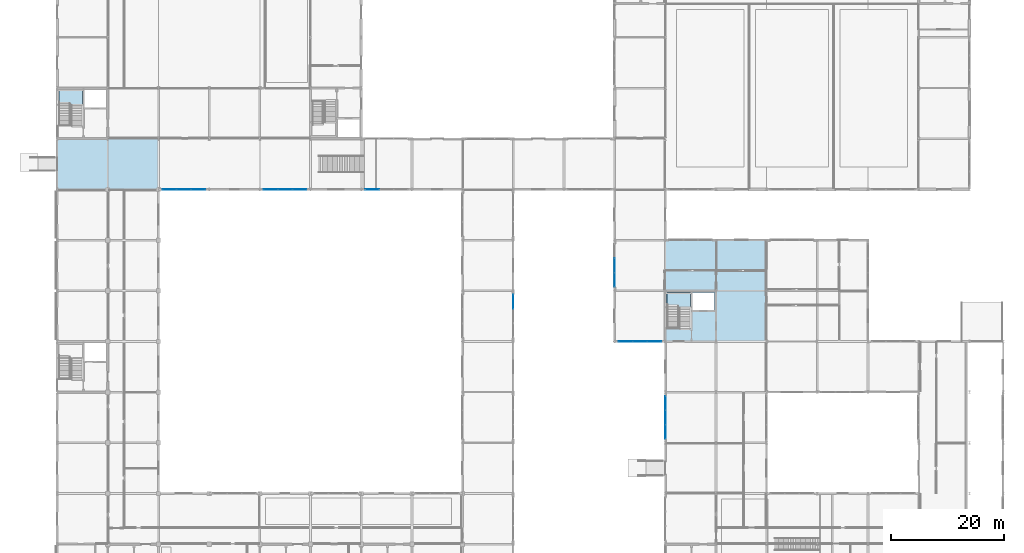
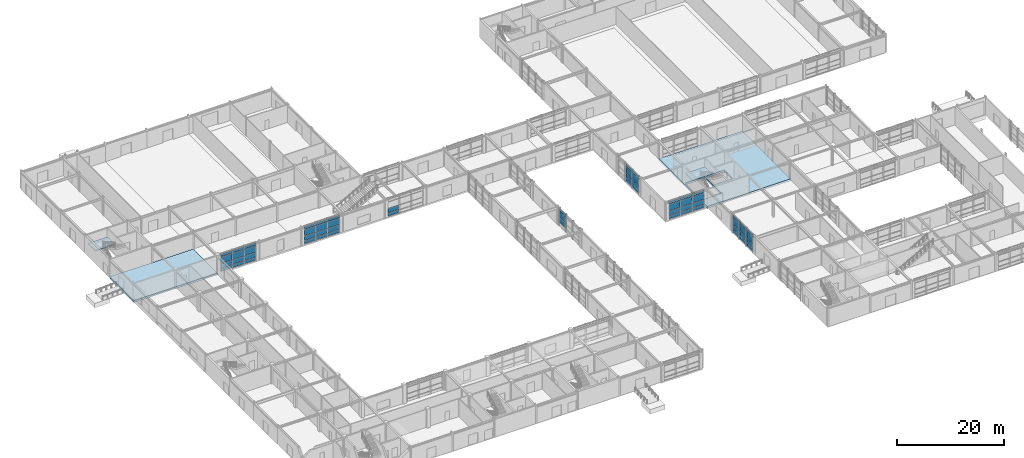
# One storey, part 48 of 72: 61 plates, 4 slabs, 7 elements without a shape of their own.
"""IFC4 building model written with IfcOpenShell, lengths in metres."""

import ifcopenshell
import ifcopenshell.guid

model = None  # the IFC model being written
_history = None  # IfcOwnerHistory: only IFC2X3 demands one
_inside = {}  # id of a spatial element -> (the spatial element, [elements in it])
_under = {}  # id of a project, library or spatial element -> (it, [spatial elements below it])
_declared = {}  # id of a project -> (the project, [libraries it declares])
_typed = {}  # id of a type object -> (the type object, [elements of that type])
_made_of = {}  # id of a material, layer set ... -> (it, [elements and type objects made of it])


def new_model(schema):
    """Start an empty IFC model of exactly this schema.

    Asked for "IFC4X3", IfcOpenShell would pick the latest addendum, in which some entities
    have other attributes; the version numbers below select the first issue.
    IFC2X3 requires an IfcOwnerHistory on every rooted entity: one is made here for all.
    """
    global model, _history
    if schema == "IFC4X3":
        model = ifcopenshell.file(schema_version=(4, 3, 0, 0))
    else:
        model = ifcopenshell.file(schema=schema)
    _inside.clear()
    _under.clear()
    _declared.clear()
    _typed.clear()
    _made_of.clear()
    _history = None
    if model.schema == "IFC2X3":
        org = make("IfcOrganization", Name="unknown")
        user = make(
            "IfcPersonAndOrganization",
            ThePerson=make("IfcPerson", FamilyName="unknown"),
            TheOrganization=org,
        )
        app = make(
            "IfcApplication",
            ApplicationDeveloper=org,
            Version="unknown",
            ApplicationFullName="unknown",
            ApplicationIdentifier="unknown",
        )
        _history = make(
            "IfcOwnerHistory",
            OwningUser=user,
            OwningApplication=app,
            ChangeAction="ADDED",
            CreationDate=0,
        )
    return model


def make(cls, **values):
    """One entity of the class cls with the attributes given. An attribute that is None is left unset."""
    return model.create_entity(
        cls, **{name: value for name, value in values.items() if value is not None}
    )


def rooted(cls, **values):
    """An entity with a GlobalId (a new one), such as an element, a storey or a relation."""
    return make(cls, GlobalId=ifcopenshell.guid.new(), OwnerHistory=_history, **values)


def si_unit(unit_type, name, prefix=None):
    """IfcSIUnit, for example si_unit("LENGTHUNIT", "METRE", prefix="MILLI")."""
    return make("IfcSIUnit", UnitType=unit_type, Prefix=prefix, Name=name)


def assignment(units):
    """IfcUnitAssignment: the units of a project."""
    return None if units is None else make("IfcUnitAssignment", Units=units)


def point(xyz):
    """IfcCartesianPoint."""
    return None if xyz is None else make("IfcCartesianPoint", Coordinates=xyz)


def direction(xyz):
    """IfcDirection."""
    return None if xyz is None else make("IfcDirection", DirectionRatios=xyz)


def frame(location, z_axis=None, x_axis=None):
    """IfcAxis2Placement3D, a coordinate frame: its origin and axes. An axis left out is left unset."""
    return make(
        "IfcAxis2Placement3D",
        Location=point(location),
        Axis=direction(z_axis),
        RefDirection=direction(x_axis),
    )


def frame_2d(location, x_axis=None):
    """IfcAxis2Placement2D, a coordinate frame in the plane: its origin and x axis."""
    return make(
        "IfcAxis2Placement2D", Location=point(location), RefDirection=direction(x_axis)
    )


def origin():
    """The frame at (0, 0, 0) with its axes left unset."""
    return frame((0.0, 0.0, 0.0))


def origin_2d():
    """The frame at (0, 0) in the plane with its x axis left unset."""
    return frame_2d((0.0, 0.0))


def place(relative_to, where):
    """IfcLocalPlacement: puts the frame where relative to a parent placement (None: the world)."""
    return make(
        "IfcLocalPlacement", PlacementRelTo=relative_to, RelativePlacement=where
    )


def context(
    kind, dimensions, precision=None, world=None, true_north=None, identifier=None
):
    """IfcGeometricRepresentationContext, for example the 3D "Model" context."""
    return make(
        "IfcGeometricRepresentationContext",
        ContextIdentifier=identifier,
        ContextType=kind,
        CoordinateSpaceDimension=dimensions,
        Precision=precision,
        WorldCoordinateSystem=world,
        TrueNorth=true_north,
    )


def subcontext(parent, identifier, kind, view, scale=None):
    """IfcGeometricRepresentationSubContext, for example "Body" below "Model"."""
    return make(
        "IfcGeometricRepresentationSubContext",
        ContextIdentifier=identifier,
        ContextType=kind,
        ParentContext=parent,
        TargetScale=scale,
        TargetView=view,
    )


def project(units=None, contexts=None):
    """IfcProject with its units and contexts."""
    return rooted(
        "IfcProject",
        Name="project",
        RepresentationContexts=contexts,
        UnitsInContext=assignment(units),
    )


def spatial(cls, under=None, at=None, **own):
    """A site, building, storey or space (cls), placed at a placement, below another one or the project."""
    s = rooted(cls, ObjectPlacement=at, **own)
    if under is not None:
        _under.setdefault(under.id(), (under, []))[1].append(s)
    return s


def polyline(points):
    """IfcPolyline through the points."""
    return make("IfcPolyline", Points=[point(p) for p in points])


def profile(cls, at=None, kind="AREA", **sizes):
    """A parametric profile (cls). Its sizes go by their IFC names, for example OverallWidth=200.0."""
    return make(cls, ProfileType=kind, Position=at, **sizes)


def rectangle(**sizes):
    """IfcRectangleProfileDef."""
    return profile("IfcRectangleProfileDef", **sizes)


def outline(outer, holes=None, kind="AREA"):
    """IfcArbitraryClosedProfileDef: a profile drawn as a closed curve; with holes, ...WithVoids."""
    if holes is None:
        return make("IfcArbitraryClosedProfileDef", ProfileType=kind, OuterCurve=outer)
    return make(
        "IfcArbitraryProfileDefWithVoids",
        ProfileType=kind,
        OuterCurve=outer,
        InnerCurves=holes,
    )


def extrude(swept, where, along, depth):
    """IfcExtrudedAreaSolid: the profile swept, set in the frame where, extruded along a direction by depth."""
    return make(
        "IfcExtrudedAreaSolid",
        SweptArea=swept,
        Position=where,
        ExtrudedDirection=direction(along),
        Depth=depth,
    )


def shape(context_of_items, identifier, shape_type, items):
    """IfcShapeRepresentation: the items that make up one representation, for example the "Body"."""
    return make(
        "IfcShapeRepresentation",
        ContextOfItems=context_of_items,
        RepresentationIdentifier=identifier,
        RepresentationType=shape_type,
        Items=items,
    )


def material(Name=None, Category=None):
    """IfcMaterial."""
    return make("IfcMaterial", Name=Name, Category=Category)


def layer(
    of_material, thickness, ventilated=None, Name=None, Category=None, Priority=None
):
    """IfcMaterialLayer: one layer of a wall or slab, of a material (None: an air gap)."""
    return make(
        "IfcMaterialLayer",
        Material=of_material,
        LayerThickness=thickness,
        IsVentilated=ventilated,
        Name=Name,
        Category=Category,
        Priority=Priority,
    )


def layer_set(layers, Name=None):
    """IfcMaterialLayerSet."""
    return make("IfcMaterialLayerSet", MaterialLayers=layers, LayerSetName=Name)


def made_of(thing, what):
    """Note that an element or type object is made of a material, layer set ...; save() writes the relation."""
    if what is not None:
        _made_of.setdefault(what.id(), (what, []))[1].append(thing)
    return thing


def type_object(cls, material=None, **own):
    """A type object (cls), such as IfcWallType, which elements share."""
    return made_of(rooted(cls, **own), material)


def element(
    cls,
    number,
    at=None,
    inside=None,
    cuts=None,
    type_object=None,
    material=None,
    context=None,
    identifier="Body",
    shape_type=None,
    held_by="IfcProductDefinitionShape",
    body=None,
    shapes=None,
    **own,
):
    """One element of the class cls, such as IfcWall. Its Tag is "e" and its number.

    at: its placement. inside: the storey or other place that contains it. cuts: it is an
    opening in that element (IfcRelVoidsElement). A single representation is given by context,
    identifier, shape_type and body (its items); several are given by shapes. held_by: the class
    of the entity that holds the representations. save() writes the other relations.
    """
    e = rooted(cls, Tag="e%d" % number, ObjectPlacement=at, **own)
    if body is not None:
        shapes = [shape(context, identifier, shape_type, body)]
    if shapes is not None:
        e.Representation = make(held_by, Representations=shapes)
    if inside is not None:
        _inside.setdefault(inside.id(), (inside, []))[1].append(e)
    if cuts is not None:
        rooted(
            "IfcRelVoidsElement", RelatingBuildingElement=cuts, RelatedOpeningElement=e
        )
    if type_object is not None:
        _typed.setdefault(type_object.id(), (type_object, []))[1].append(e)
    return made_of(e, material)


def aggregate(whole, parts):
    """IfcRelAggregates: a whole, such as a stair, and the parts it consists of."""
    return rooted("IfcRelAggregates", RelatingObject=whole, RelatedObjects=parts)


def save(model, path):
    """Write the relations noted so far, then the file.

    IfcRelAggregates (storeys below a building ...), IfcRelContainedInSpatialStructure (elements
    in a storey), IfcRelDefinesByType, IfcRelAssociatesMaterial and IfcRelDeclares: one each for
    every whole, place, type object, material and project.
    """
    for whole, parts in _under.values():
        aggregate(whole, parts)
    for where, things in _inside.values():
        rooted(
            "IfcRelContainedInSpatialStructure",
            RelatedElements=things,
            RelatingStructure=where,
        )
    for kind, things in _typed.values():
        rooted("IfcRelDefinesByType", RelatedObjects=things, RelatingType=kind)
    for what, things in _made_of.values():
        rooted("IfcRelAssociatesMaterial", RelatedObjects=things, RelatingMaterial=what)
    for by, libraries in _declared.values():
        rooted("IfcRelDeclares", RelatingContext=by, RelatedDefinitions=libraries)
    model.write(path)


model = new_model("IFC4")

# Units and contexts
model_context = context("Model", 3, precision=1e-05, world=origin(), true_north=direction((0.0, 1.0)))
body_context = subcontext(model_context, "Body", "Model", "MODEL_VIEW")
ifc_project = project(units=[si_unit("LENGTHUNIT", "METRE"), si_unit("AREAUNIT", "SQUARE_METRE"), si_unit("VOLUMEUNIT", "CUBIC_METRE"), si_unit("PLANEANGLEUNIT", "RADIAN"), si_unit("MASSUNIT", "GRAM", prefix="KILO")], contexts=[model_context])

# Site, building, storey
site_placement = place(None, origin())
site = spatial("IfcSite", under=ifc_project, at=site_placement, CompositionType="ELEMENT")
building_placement = place(site_placement, origin())
building = spatial("IfcBuilding", under=site, at=building_placement, Name="Palais des Congres Ocreval", CompositionType="ELEMENT")
storey_placement = place(building_placement, origin())
storey = spatial("IfcBuildingStorey", under=building, at=storey_placement, Name="L00", CompositionType="ELEMENT", Elevation=0.0)

# Curtain wall, plates
ifc_material_1 = material(Name="Anodized bronze aluminium and low-E glass", Category="glass")
curtain_wall_type = type_object("IfcCurtainWallType", Name="Unitised Curtain Wall 7900x4060", PredefinedType="USERDEFINED", material=ifc_material_1)
curtain_wall_1_placement = place(storey_placement, origin())
curtain_wall_1 = element("IfcCurtainWall", 1, at=curtain_wall_1_placement, inside=storey, type_object=curtain_wall_type, Name="Unitised Curtain Wall CW01 L00", ObjectType="UNITISED CURTAIN WALL", PredefinedType="USERDEFINED")
ifc_material_2 = material(Name="Acoustic triple glazing", Category="glass")
ifc_layer_1 = layer(ifc_material_2, 0.0439453125)
ifc_layer_set_1 = layer_set([ifc_layer_1], Name="Acoustic Laminated Glazing Panel 44 (Acoustic triple glazing)")
plate_type_1 = type_object("IfcPlateType", Name="Acoustic Laminated Glazing Panel 44", PredefinedType="CURTAIN_PANEL", material=ifc_layer_set_1)
plate_1_placement = place(storey_placement, frame((108.0, 28.9521484375, 0.06005859375), z_axis=(0.0, 0.0, 1.0), x_axis=(0.0, 1.0, 0.0)))
plate_1 = element("IfcPlate", 2, at=plate_1_placement, type_object=plate_type_1, Name="Vision Glazing Panel VP02", PredefinedType="CURTAIN_PANEL", context=body_context, shape_type="SweptSolid", body=[
    extrude(rectangle(XDim=2.4541015625, YDim=0.0439453125, at=origin_2d()), origin(), (0.0, 0.0, 1.0), 0.68994140625),
])
plate_2_placement = place(storey_placement, frame((108.0, 28.9521484375, 0.81005859375), z_axis=(0.0, 0.0, 1.0), x_axis=(0.0, 1.0, 0.0)))
plate_2 = element("IfcPlate", 3, at=plate_2_placement, type_object=plate_type_1, Name="Vision Glazing Panel VP02", PredefinedType="CURTAIN_PANEL", context=body_context, shape_type="SweptSolid", body=[
    extrude(rectangle(XDim=2.4541015625, YDim=0.0439453125, at=origin_2d()), origin(), (0.0, 0.0, 1.0), 1.03271484375),
])
plate_3_placement = place(storey_placement, frame((108.0, 28.9521484375, 1.90283203125), z_axis=(0.0, 0.0, 1.0), x_axis=(0.0, 1.0, 0.0)))
plate_3 = element("IfcPlate", 4, at=plate_3_placement, type_object=plate_type_1, Name="Vision Glazing Panel VP02", PredefinedType="CURTAIN_PANEL", context=body_context, shape_type="SweptSolid", body=[
    extrude(rectangle(XDim=2.4541015625, YDim=0.0439453125, at=origin_2d()), origin(), (0.0, 0.0, 1.0), 1.47216796875),
])
plate_4_placement = place(storey_placement, frame((108.0, 31.5, 0.06005859375), z_axis=(0.0, 0.0, 1.0), x_axis=(0.0, 1.0, 0.0)))
plate_4 = element("IfcPlate", 5, at=plate_4_placement, type_object=plate_type_1, Name="Vision Glazing Panel VP02", PredefinedType="CURTAIN_PANEL", context=body_context, shape_type="SweptSolid", body=[
    extrude(rectangle(XDim=2.49169921875, YDim=0.0439453125, at=origin_2d()), origin(), (0.0, 0.0, 1.0), 0.68994140625),
])
plate_5_placement = place(storey_placement, frame((108.0, 31.5, 0.81005859375), z_axis=(0.0, 0.0, 1.0), x_axis=(0.0, 1.0, 0.0)))
plate_5 = element("IfcPlate", 6, at=plate_5_placement, type_object=plate_type_1, Name="Vision Glazing Panel VP02", PredefinedType="CURTAIN_PANEL", context=body_context, shape_type="SweptSolid", body=[
    extrude(rectangle(XDim=2.49169921875, YDim=0.0439453125, at=origin_2d()), origin(), (0.0, 0.0, 1.0), 1.03271484375),
])
plate_6_placement = place(storey_placement, frame((108.0, 31.5, 1.90283203125), z_axis=(0.0, 0.0, 1.0), x_axis=(0.0, 1.0, 0.0)))
plate_6 = element("IfcPlate", 7, at=plate_6_placement, type_object=plate_type_1, Name="Vision Glazing Panel VP02", PredefinedType="CURTAIN_PANEL", context=body_context, shape_type="SweptSolid", body=[
    extrude(rectangle(XDim=2.49169921875, YDim=0.0439453125, at=origin_2d()), origin(), (0.0, 0.0, 1.0), 1.47216796875),
])
plate_7_placement = place(storey_placement, frame((108.0, 34.0478515625, 0.06005859375), z_axis=(0.0, 0.0, 1.0), x_axis=(0.0, 1.0, 0.0)))
plate_7 = element("IfcPlate", 8, at=plate_7_placement, type_object=plate_type_1, Name="Vision Glazing Panel VP02", PredefinedType="CURTAIN_PANEL", context=body_context, shape_type="SweptSolid", body=[
    extrude(rectangle(XDim=2.4541015625, YDim=0.0439453125, at=origin_2d()), origin(), (0.0, 0.0, 1.0), 0.68994140625),
])
plate_8_placement = place(storey_placement, frame((108.0, 34.0478515625, 0.81005859375), z_axis=(0.0, 0.0, 1.0), x_axis=(0.0, 1.0, 0.0)))
plate_8 = element("IfcPlate", 9, at=plate_8_placement, type_object=plate_type_1, Name="Vision Glazing Panel VP02", PredefinedType="CURTAIN_PANEL", context=body_context, shape_type="SweptSolid", body=[
    extrude(rectangle(XDim=2.4541015625, YDim=0.0439453125, at=origin_2d()), origin(), (0.0, 0.0, 1.0), 1.03271484375),
])
plate_9_placement = place(storey_placement, frame((108.0, 34.0478515625, 1.90283203125), z_axis=(0.0, 0.0, 1.0), x_axis=(0.0, 1.0, 0.0)))
plate_9 = element("IfcPlate", 10, at=plate_9_placement, type_object=plate_type_1, Name="Vision Glazing Panel VP02", PredefinedType="CURTAIN_PANEL", context=body_context, shape_type="SweptSolid", body=[
    extrude(rectangle(XDim=2.4541015625, YDim=0.0439453125, at=origin_2d()), origin(), (0.0, 0.0, 1.0), 1.47216796875),
])

curtain_wall_2_placement = place(storey_placement, origin())
curtain_wall_2 = element("IfcCurtainWall", 11, at=curtain_wall_2_placement, inside=storey, type_object=curtain_wall_type, Name="Unitised Curtain Wall CW01 L00", ObjectType="UNITISED CURTAIN WALL", PredefinedType="USERDEFINED")
plate_10_placement = place(storey_placement, frame((55.9521484375, 72.0, 0.06005859375), z_axis=(0.0, 0.0, 1.0), x_axis=(-1.0, 0.0, 0.0)))
plate_10 = element("IfcPlate", 12, at=plate_10_placement, type_object=plate_type_1, Name="Vision Glazing Panel VP02", PredefinedType="CURTAIN_PANEL", context=body_context, shape_type="SweptSolid", body=[
    extrude(rectangle(XDim=2.4541015625, YDim=0.0439453125, at=origin_2d()), origin(), (0.0, 0.0, 1.0), 0.68994140625),
])
plate_11_placement = place(storey_placement, frame((55.9521484375, 72.0, 0.81005859375), z_axis=(0.0, 0.0, 1.0), x_axis=(-1.0, 0.0, 0.0)))
plate_11 = element("IfcPlate", 13, at=plate_11_placement, type_object=plate_type_1, Name="Vision Glazing Panel VP02", PredefinedType="CURTAIN_PANEL", context=body_context, shape_type="SweptSolid", body=[
    extrude(rectangle(XDim=2.4541015625, YDim=0.0439453125, at=origin_2d()), origin(), (0.0, 0.0, 1.0), 1.03271484375),
])
aggregate(curtain_wall_2, [plate_10, plate_11])

curtain_wall_3_placement = place(storey_placement, origin())
curtain_wall_3 = element("IfcCurtainWall", 14, at=curtain_wall_3_placement, inside=storey, type_object=curtain_wall_type, Name="Unitised Curtain Wall CW01 L00", ObjectType="UNITISED CURTAIN WALL", PredefinedType="USERDEFINED")
ifc_material_3 = material(Name="Anodized bronze aluminium", Category="aluminium")
ifc_layer_2 = layer(ifc_material_3, 0.06005859375)
ifc_layer_set_2 = layer_set([ifc_layer_2], Name="Anodized Bronze Spandrel Cassette 60 (Anodized bronze aluminium)")
plate_type_2 = type_object("IfcPlateType", Name="Anodized Bronze Spandrel Cassette 60", PredefinedType="SHEET", material=ifc_layer_set_2)
plate_12_placement = place(storey_placement, frame((106.0478515625, 45.0, 3.43505859375), z_axis=(0.0, 0.0, 1.0), x_axis=(-1.0, 0.0, 0.0)))
plate_12 = element("IfcPlate", 15, at=plate_12_placement, type_object=plate_type_2, Name="Spandrel Sheet SPN1", PredefinedType="SHEET", context=body_context, shape_type="SweptSolid", body=[
    extrude(rectangle(XDim=2.4541015625, YDim=0.06005859375, at=origin_2d()), origin(), (0.0, 0.0, 1.0), 0.56005859375),
])
plate_13_placement = place(storey_placement, frame((103.5, 45.0, 3.43505859375), z_axis=(0.0, 0.0, 1.0), x_axis=(-1.0, 0.0, 0.0)))
plate_13 = element("IfcPlate", 16, at=plate_13_placement, type_object=plate_type_2, Name="Spandrel Sheet SPN1", PredefinedType="SHEET", context=body_context, shape_type="SweptSolid", body=[
    extrude(rectangle(XDim=2.49169921875, YDim=0.06005859375, at=origin_2d()), origin(), (0.0, 0.0, 1.0), 0.56005859375),
])
plate_14_placement = place(storey_placement, frame((100.9521484375, 45.0, 3.43505859375), z_axis=(0.0, 0.0, 1.0), x_axis=(-1.0, 0.0, 0.0)))
plate_14 = element("IfcPlate", 17, at=plate_14_placement, type_object=plate_type_2, Name="Spandrel Sheet SPN1", PredefinedType="SHEET", context=body_context, shape_type="SweptSolid", body=[
    extrude(rectangle(XDim=2.4541015625, YDim=0.06005859375, at=origin_2d()), origin(), (0.0, 0.0, 1.0), 0.56005859375),
])

# Curtain wall, plate
curtain_wall_4_placement = place(storey_placement, origin())
curtain_wall_4 = element("IfcCurtainWall", 18, at=curtain_wall_4_placement, inside=storey, type_object=curtain_wall_type, Name="Unitised Curtain Wall CW01 L00", ObjectType="UNITISED CURTAIN WALL", PredefinedType="USERDEFINED")
plate_15_placement = place(storey_placement, frame((81.0, 52.0478515625, 3.43505859375), z_axis=(0.0, 0.0, 1.0), x_axis=(0.0, -1.0, 0.0)))
plate_15 = element("IfcPlate", 19, at=plate_15_placement, type_object=plate_type_2, Name="Spandrel Sheet SPN1", PredefinedType="SHEET", context=body_context, shape_type="SweptSolid", body=[
    extrude(rectangle(XDim=2.4541015625, YDim=0.06005859375, at=origin_2d()), origin(), (0.0, 0.0, 1.0), 0.56005859375),
])

# Curtain wall, plates
curtain_wall_5_placement = place(storey_placement, origin())
curtain_wall_5 = element("IfcCurtainWall", 20, at=curtain_wall_5_placement, inside=storey, type_object=curtain_wall_type, Name="Unitised Curtain Wall CW01 L00", ObjectType="UNITISED CURTAIN WALL", PredefinedType="USERDEFINED")
plate_16_placement = place(storey_placement, frame((25.0478515625, 72.0, 3.43505859375), z_axis=(0.0, 0.0, 1.0), x_axis=(-1.0, 0.0, 0.0)))
plate_16 = element("IfcPlate", 21, at=plate_16_placement, type_object=plate_type_2, Name="Spandrel Sheet SPN1", PredefinedType="SHEET", context=body_context, shape_type="SweptSolid", body=[
    extrude(rectangle(XDim=2.4541015625, YDim=0.06005859375, at=origin_2d()), origin(), (0.0, 0.0, 1.0), 0.56005859375),
])
plate_17_placement = place(storey_placement, frame((22.5, 72.0, 3.43505859375), z_axis=(0.0, 0.0, 1.0), x_axis=(-1.0, 0.0, 0.0)))
plate_17 = element("IfcPlate", 22, at=plate_17_placement, type_object=plate_type_2, Name="Spandrel Sheet SPN1", PredefinedType="SHEET", context=body_context, shape_type="SweptSolid", body=[
    extrude(rectangle(XDim=2.49169921875, YDim=0.06005859375, at=origin_2d()), origin(), (0.0, 0.0, 1.0), 0.56005859375),
])
plate_18_placement = place(storey_placement, frame((19.9521484375, 72.0, 3.43505859375), z_axis=(0.0, 0.0, 1.0), x_axis=(-1.0, 0.0, 0.0)))
plate_18 = element("IfcPlate", 23, at=plate_18_placement, type_object=plate_type_2, Name="Spandrel Sheet SPN1", PredefinedType="SHEET", context=body_context, shape_type="SweptSolid", body=[
    extrude(rectangle(XDim=2.4541015625, YDim=0.06005859375, at=origin_2d()), origin(), (0.0, 0.0, 1.0), 0.56005859375),
])

# Plate
ifc_material_4 = material(Name="Low-E solar-control double glazing", Category="glass")
ifc_layer_3 = layer(ifc_material_4, 0.031982421875)
ifc_layer_set_3 = layer_set([ifc_layer_3], Name="Galleria Clear Vision Panel 32 (Low-E solar-control double glazing)")
plate_type_3 = type_object("IfcPlateType", Name="Galleria Clear Vision Panel 32", PredefinedType="CURTAIN_PANEL", material=ifc_layer_set_3)
plate_19_placement = place(storey_placement, frame((106.0478515625, 45.0, 0.06005859375), z_axis=(0.0, 0.0, 1.0), x_axis=(-1.0, 0.0, 0.0)))
plate_19 = element("IfcPlate", 24, at=plate_19_placement, type_object=plate_type_3, Name="Vision Glazing Panel VP03", PredefinedType="CURTAIN_PANEL", context=body_context, shape_type="SweptSolid", body=[
    extrude(rectangle(XDim=2.4541015625, YDim=0.031982421875, at=origin_2d()), origin(), (0.0, 0.0, 1.0), 0.68994140625),
])

plate_20_placement = place(storey_placement, frame((106.0478515625, 45.0, 0.81005859375), z_axis=(0.0, 0.0, 1.0), x_axis=(-1.0, 0.0, 0.0)))
plate_20 = element("IfcPlate", 25, at=plate_20_placement, type_object=plate_type_3, Name="Vision Glazing Panel VP03", PredefinedType="CURTAIN_PANEL", context=body_context, shape_type="SweptSolid", body=[
    extrude(rectangle(XDim=2.4541015625, YDim=0.031982421875, at=origin_2d()), origin(), (0.0, 0.0, 1.0), 1.03271484375),
])

plate_21_placement = place(storey_placement, frame((106.0478515625, 45.0, 1.90283203125), z_axis=(0.0, 0.0, 1.0), x_axis=(-1.0, 0.0, 0.0)))
plate_21 = element("IfcPlate", 26, at=plate_21_placement, type_object=plate_type_3, Name="Vision Glazing Panel VP03", PredefinedType="CURTAIN_PANEL", context=body_context, shape_type="SweptSolid", body=[
    extrude(rectangle(XDim=2.4541015625, YDim=0.031982421875, at=origin_2d()), origin(), (0.0, 0.0, 1.0), 1.47216796875),
])

plate_22_placement = place(storey_placement, frame((103.5, 45.0, 0.06005859375), z_axis=(0.0, 0.0, 1.0), x_axis=(-1.0, 0.0, 0.0)))
plate_22 = element("IfcPlate", 27, at=plate_22_placement, type_object=plate_type_3, Name="Vision Glazing Panel VP03", PredefinedType="CURTAIN_PANEL", context=body_context, shape_type="SweptSolid", body=[
    extrude(rectangle(XDim=2.49169921875, YDim=0.031982421875, at=origin_2d()), origin(), (0.0, 0.0, 1.0), 0.68994140625),
])

plate_23_placement = place(storey_placement, frame((103.5, 45.0, 0.81005859375), z_axis=(0.0, 0.0, 1.0), x_axis=(-1.0, 0.0, 0.0)))
plate_23 = element("IfcPlate", 28, at=plate_23_placement, type_object=plate_type_3, Name="Vision Glazing Panel VP03", PredefinedType="CURTAIN_PANEL", context=body_context, shape_type="SweptSolid", body=[
    extrude(rectangle(XDim=2.49169921875, YDim=0.031982421875, at=origin_2d()), origin(), (0.0, 0.0, 1.0), 1.03271484375),
])

plate_24_placement = place(storey_placement, frame((103.5, 45.0, 1.90283203125), z_axis=(0.0, 0.0, 1.0), x_axis=(-1.0, 0.0, 0.0)))
plate_24 = element("IfcPlate", 29, at=plate_24_placement, type_object=plate_type_3, Name="Vision Glazing Panel VP03", PredefinedType="CURTAIN_PANEL", context=body_context, shape_type="SweptSolid", body=[
    extrude(rectangle(XDim=2.49169921875, YDim=0.031982421875, at=origin_2d()), origin(), (0.0, 0.0, 1.0), 1.47216796875),
])

plate_25_placement = place(storey_placement, frame((100.9521484375, 45.0, 0.06005859375), z_axis=(0.0, 0.0, 1.0), x_axis=(-1.0, 0.0, 0.0)))
plate_25 = element("IfcPlate", 30, at=plate_25_placement, type_object=plate_type_3, Name="Vision Glazing Panel VP03", PredefinedType="CURTAIN_PANEL", context=body_context, shape_type="SweptSolid", body=[
    extrude(rectangle(XDim=2.4541015625, YDim=0.031982421875, at=origin_2d()), origin(), (0.0, 0.0, 1.0), 0.68994140625),
])

plate_26_placement = place(storey_placement, frame((100.9521484375, 45.0, 0.81005859375), z_axis=(0.0, 0.0, 1.0), x_axis=(-1.0, 0.0, 0.0)))
plate_26 = element("IfcPlate", 31, at=plate_26_placement, type_object=plate_type_3, Name="Vision Glazing Panel VP03", PredefinedType="CURTAIN_PANEL", context=body_context, shape_type="SweptSolid", body=[
    extrude(rectangle(XDim=2.4541015625, YDim=0.031982421875, at=origin_2d()), origin(), (0.0, 0.0, 1.0), 1.03271484375),
])

plate_27_placement = place(storey_placement, frame((100.9521484375, 45.0, 1.90283203125), z_axis=(0.0, 0.0, 1.0), x_axis=(-1.0, 0.0, 0.0)))
plate_27 = element("IfcPlate", 32, at=plate_27_placement, type_object=plate_type_3, Name="Vision Glazing Panel VP03", PredefinedType="CURTAIN_PANEL", context=body_context, shape_type="SweptSolid", body=[
    extrude(rectangle(XDim=2.4541015625, YDim=0.031982421875, at=origin_2d()), origin(), (0.0, 0.0, 1.0), 1.47216796875),
])

aggregate(curtain_wall_3, [plate_19, plate_20, plate_21, plate_12, plate_22, plate_23, plate_24, plate_13, plate_25, plate_26, plate_27, plate_14])

# Curtain wall, plates
curtain_wall_6_placement = place(storey_placement, origin())
curtain_wall_6 = element("IfcCurtainWall", 33, at=curtain_wall_6_placement, inside=storey, type_object=curtain_wall_type, Name="Unitised Curtain Wall CW01 L00", ObjectType="UNITISED CURTAIN WALL", PredefinedType="USERDEFINED")
plate_28_placement = place(storey_placement, frame((43.0478515625, 72.0, 0.06005859375), z_axis=(0.0, 0.0, 1.0), x_axis=(-1.0, 0.0, 0.0)))
plate_28 = element("IfcPlate", 34, at=plate_28_placement, type_object=plate_type_3, Name="Vision Glazing Panel VP03", PredefinedType="CURTAIN_PANEL", context=body_context, shape_type="SweptSolid", body=[
    extrude(rectangle(XDim=2.4541015625, YDim=0.031982421875, at=origin_2d()), origin(), (0.0, 0.0, 1.0), 0.68994140625),
])
plate_29_placement = place(storey_placement, frame((43.0478515625, 72.0, 0.81005859375), z_axis=(0.0, 0.0, 1.0), x_axis=(-1.0, 0.0, 0.0)))
plate_29 = element("IfcPlate", 35, at=plate_29_placement, type_object=plate_type_3, Name="Vision Glazing Panel VP03", PredefinedType="CURTAIN_PANEL", context=body_context, shape_type="SweptSolid", body=[
    extrude(rectangle(XDim=2.4541015625, YDim=0.031982421875, at=origin_2d()), origin(), (0.0, 0.0, 1.0), 1.03271484375),
])
plate_30_placement = place(storey_placement, frame((43.0478515625, 72.0, 1.90283203125), z_axis=(0.0, 0.0, 1.0), x_axis=(-1.0, 0.0, 0.0)))
plate_30 = element("IfcPlate", 36, at=plate_30_placement, type_object=plate_type_3, Name="Vision Glazing Panel VP03", PredefinedType="CURTAIN_PANEL", context=body_context, shape_type="SweptSolid", body=[
    extrude(rectangle(XDim=2.4541015625, YDim=0.031982421875, at=origin_2d()), origin(), (0.0, 0.0, 1.0), 1.47216796875),
])
plate_31_placement = place(storey_placement, frame((40.5, 72.0, 0.06005859375), z_axis=(0.0, 0.0, 1.0), x_axis=(-1.0, 0.0, 0.0)))
plate_31 = element("IfcPlate", 37, at=plate_31_placement, type_object=plate_type_3, Name="Vision Glazing Panel VP03", PredefinedType="CURTAIN_PANEL", context=body_context, shape_type="SweptSolid", body=[
    extrude(rectangle(XDim=2.49169921875, YDim=0.031982421875, at=origin_2d()), origin(), (0.0, 0.0, 1.0), 0.68994140625),
])
plate_32_placement = place(storey_placement, frame((40.5, 72.0, 0.81005859375), z_axis=(0.0, 0.0, 1.0), x_axis=(-1.0, 0.0, 0.0)))
plate_32 = element("IfcPlate", 38, at=plate_32_placement, type_object=plate_type_3, Name="Vision Glazing Panel VP03", PredefinedType="CURTAIN_PANEL", context=body_context, shape_type="SweptSolid", body=[
    extrude(rectangle(XDim=2.49169921875, YDim=0.031982421875, at=origin_2d()), origin(), (0.0, 0.0, 1.0), 1.03271484375),
])
plate_33_placement = place(storey_placement, frame((40.5, 72.0, 1.90283203125), z_axis=(0.0, 0.0, 1.0), x_axis=(-1.0, 0.0, 0.0)))
plate_33 = element("IfcPlate", 39, at=plate_33_placement, type_object=plate_type_3, Name="Vision Glazing Panel VP03", PredefinedType="CURTAIN_PANEL", context=body_context, shape_type="SweptSolid", body=[
    extrude(rectangle(XDim=2.49169921875, YDim=0.031982421875, at=origin_2d()), origin(), (0.0, 0.0, 1.0), 1.47216796875),
])
plate_34_placement = place(storey_placement, frame((37.9521484375, 72.0, 0.06005859375), z_axis=(0.0, 0.0, 1.0), x_axis=(-1.0, 0.0, 0.0)))
plate_34 = element("IfcPlate", 40, at=plate_34_placement, type_object=plate_type_3, Name="Vision Glazing Panel VP03", PredefinedType="CURTAIN_PANEL", context=body_context, shape_type="SweptSolid", body=[
    extrude(rectangle(XDim=2.4541015625, YDim=0.031982421875, at=origin_2d()), origin(), (0.0, 0.0, 1.0), 0.68994140625),
])
plate_35_placement = place(storey_placement, frame((37.9521484375, 72.0, 0.81005859375), z_axis=(0.0, 0.0, 1.0), x_axis=(-1.0, 0.0, 0.0)))
plate_35 = element("IfcPlate", 41, at=plate_35_placement, type_object=plate_type_3, Name="Vision Glazing Panel VP03", PredefinedType="CURTAIN_PANEL", context=body_context, shape_type="SweptSolid", body=[
    extrude(rectangle(XDim=2.4541015625, YDim=0.031982421875, at=origin_2d()), origin(), (0.0, 0.0, 1.0), 1.03271484375),
])
plate_36_placement = place(storey_placement, frame((37.9521484375, 72.0, 1.90283203125), z_axis=(0.0, 0.0, 1.0), x_axis=(-1.0, 0.0, 0.0)))
plate_36 = element("IfcPlate", 42, at=plate_36_placement, type_object=plate_type_3, Name="Vision Glazing Panel VP03", PredefinedType="CURTAIN_PANEL", context=body_context, shape_type="SweptSolid", body=[
    extrude(rectangle(XDim=2.4541015625, YDim=0.031982421875, at=origin_2d()), origin(), (0.0, 0.0, 1.0), 1.47216796875),
])

# Slabs
ifc_material_5 = material(Name="Concrete C40/50", Category="concrete")
ifc_layer_4 = layer(ifc_material_5, 0.449951171875)
ifc_layer_set_4 = layer_set([ifc_layer_4], Name="Hydrotherapy Pool and Cistern Slab 450 Concrete C40/50")
slab_type_1 = type_object("IfcSlabType", Name="Hydrotherapy Pool and Cistern Slab 450 Concrete C40/50", PredefinedType="FLOOR", material=ifc_layer_set_4)
slab_1_placement = place(storey_placement, frame((0.0, 0.0, -0.449951171875)))
element("IfcSlab", 43, at=slab_1_placement, inside=storey, type_object=slab_type_1, Name="Floor Slab SL03 L00 V5-1", PredefinedType="FLOOR", context=body_context, shape_type="SweptSolid", body=[
    extrude(outline(polyline([(0.0, 81.0), (18.0, 81.0), (18.0, 72.0), (0.0, 72.0), (0.0, 81.0)])), origin(), (0.0, 0.0, 1.0), 0.449951171875),
])
slab_2_placement = place(storey_placement, frame((0.0, 0.0, -0.449951171875)))
element("IfcSlab", 44, at=slab_2_placement, inside=storey, type_object=slab_type_1, Name="Floor Slab SL03 L00 V5-7", PredefinedType="FLOOR", context=body_context, shape_type="SweptSolid", body=[
    extrude(outline(polyline([(126.0, 63.0), (126.0, 45.0), (108.0, 45.0), (108.0, 63.0), (126.0, 63.0)]), holes=[polyline([(108.300048828125, 53.699951171875), (108.300048828125, 47.35009765625), (112.5, 47.35009765625), (112.5, 53.699951171875), (108.300048828125, 53.699951171875)]), polyline([(116.699951171875, 53.699951171875), (112.800048828125, 53.699951171875), (112.800048828125, 50.550048828125), (116.699951171875, 50.550048828125), (116.699951171875, 53.699951171875)])]), origin(), (0.0, 0.0, 1.0), 0.449951171875),
])

# Curtain wall, plates
curtain_wall_7_placement = place(storey_placement, origin())
curtain_wall_7 = element("IfcCurtainWall", 45, at=curtain_wall_7_placement, inside=storey, type_object=curtain_wall_type, Name="Unitised Curtain Wall CW01 L00", ObjectType="UNITISED CURTAIN WALL", PredefinedType="USERDEFINED")
ifc_layer_5 = layer(ifc_material_4, 0.035888671875)
ifc_layer_set_5 = layer_set([ifc_layer_5], Name="Low-E Vision Glazing Panel 36 (Low-E solar-control double glazing)")
plate_type_4 = type_object("IfcPlateType", Name="Low-E Vision Glazing Panel 36", PredefinedType="CURTAIN_PANEL", material=ifc_layer_set_5)
plate_37_placement = place(storey_placement, frame((99.0, 55.9521484375, 0.06005859375), z_axis=(0.0, 0.0, 1.0), x_axis=(0.0, 1.0, 0.0)))
plate_37 = element("IfcPlate", 46, at=plate_37_placement, type_object=plate_type_4, Name="Vision Glazing Panel VP01", PredefinedType="CURTAIN_PANEL", context=body_context, shape_type="SweptSolid", body=[
    extrude(rectangle(XDim=2.4541015625, YDim=0.035888671875, at=origin_2d()), origin(), (0.0, 0.0, 1.0), 0.68994140625),
])
plate_38_placement = place(storey_placement, frame((99.0, 55.9521484375, 0.81005859375), z_axis=(0.0, 0.0, 1.0), x_axis=(0.0, 1.0, 0.0)))
plate_38 = element("IfcPlate", 47, at=plate_38_placement, type_object=plate_type_4, Name="Vision Glazing Panel VP01", PredefinedType="CURTAIN_PANEL", context=body_context, shape_type="SweptSolid", body=[
    extrude(rectangle(XDim=2.4541015625, YDim=0.035888671875, at=origin_2d()), origin(), (0.0, 0.0, 1.0), 1.03271484375),
])
plate_39_placement = place(storey_placement, frame((99.0, 55.9521484375, 1.90283203125), z_axis=(0.0, 0.0, 1.0), x_axis=(0.0, 1.0, 0.0)))
plate_39 = element("IfcPlate", 48, at=plate_39_placement, type_object=plate_type_4, Name="Vision Glazing Panel VP01", PredefinedType="CURTAIN_PANEL", context=body_context, shape_type="SweptSolid", body=[
    extrude(rectangle(XDim=2.4541015625, YDim=0.035888671875, at=origin_2d()), origin(), (0.0, 0.0, 1.0), 1.47216796875),
])
plate_40_placement = place(storey_placement, frame((99.0, 58.5, 0.06005859375), z_axis=(0.0, 0.0, 1.0), x_axis=(0.0, 1.0, 0.0)))
plate_40 = element("IfcPlate", 49, at=plate_40_placement, type_object=plate_type_4, Name="Vision Glazing Panel VP01", PredefinedType="CURTAIN_PANEL", context=body_context, shape_type="SweptSolid", body=[
    extrude(rectangle(XDim=2.49169921875, YDim=0.035888671875, at=origin_2d()), origin(), (0.0, 0.0, 1.0), 0.68994140625),
])
plate_41_placement = place(storey_placement, frame((99.0, 58.5, 0.81005859375), z_axis=(0.0, 0.0, 1.0), x_axis=(0.0, 1.0, 0.0)))
plate_41 = element("IfcPlate", 50, at=plate_41_placement, type_object=plate_type_4, Name="Vision Glazing Panel VP01", PredefinedType="CURTAIN_PANEL", context=body_context, shape_type="SweptSolid", body=[
    extrude(rectangle(XDim=2.49169921875, YDim=0.035888671875, at=origin_2d()), origin(), (0.0, 0.0, 1.0), 1.03271484375),
])
plate_42_placement = place(storey_placement, frame((99.0, 58.5, 1.90283203125), z_axis=(0.0, 0.0, 1.0), x_axis=(0.0, 1.0, 0.0)))
plate_42 = element("IfcPlate", 51, at=plate_42_placement, type_object=plate_type_4, Name="Vision Glazing Panel VP01", PredefinedType="CURTAIN_PANEL", context=body_context, shape_type="SweptSolid", body=[
    extrude(rectangle(XDim=2.49169921875, YDim=0.035888671875, at=origin_2d()), origin(), (0.0, 0.0, 1.0), 1.47216796875),
])

# Plate
plate_43_placement = place(storey_placement, frame((81.0, 52.0478515625, 0.81005859375), z_axis=(0.0, 0.0, 1.0), x_axis=(0.0, -1.0, 0.0)))
plate_43 = element("IfcPlate", 52, at=plate_43_placement, type_object=plate_type_4, Name="Vision Glazing Panel VP01", PredefinedType="CURTAIN_PANEL", context=body_context, shape_type="SweptSolid", body=[
    extrude(rectangle(XDim=2.4541015625, YDim=0.035888671875, at=origin_2d()), origin(), (0.0, 0.0, 1.0), 1.03271484375),
])

plate_44_placement = place(storey_placement, frame((81.0, 52.0478515625, 1.90283203125), z_axis=(0.0, 0.0, 1.0), x_axis=(0.0, -1.0, 0.0)))
plate_44 = element("IfcPlate", 53, at=plate_44_placement, type_object=plate_type_4, Name="Vision Glazing Panel VP01", PredefinedType="CURTAIN_PANEL", context=body_context, shape_type="SweptSolid", body=[
    extrude(rectangle(XDim=2.4541015625, YDim=0.035888671875, at=origin_2d()), origin(), (0.0, 0.0, 1.0), 1.47216796875),
])

aggregate(curtain_wall_4, [plate_43, plate_44, plate_15])

plate_45_placement = place(storey_placement, frame((25.0478515625, 72.0, 0.06005859375), z_axis=(0.0, 0.0, 1.0), x_axis=(-1.0, 0.0, 0.0)))
plate_45 = element("IfcPlate", 54, at=plate_45_placement, type_object=plate_type_4, Name="Vision Glazing Panel VP01", PredefinedType="CURTAIN_PANEL", context=body_context, shape_type="SweptSolid", body=[
    extrude(rectangle(XDim=2.4541015625, YDim=0.035888671875, at=origin_2d()), origin(), (0.0, 0.0, 1.0), 0.68994140625),
])

plate_46_placement = place(storey_placement, frame((25.0478515625, 72.0, 0.81005859375), z_axis=(0.0, 0.0, 1.0), x_axis=(-1.0, 0.0, 0.0)))
plate_46 = element("IfcPlate", 55, at=plate_46_placement, type_object=plate_type_4, Name="Vision Glazing Panel VP01", PredefinedType="CURTAIN_PANEL", context=body_context, shape_type="SweptSolid", body=[
    extrude(rectangle(XDim=2.4541015625, YDim=0.035888671875, at=origin_2d()), origin(), (0.0, 0.0, 1.0), 1.03271484375),
])

plate_47_placement = place(storey_placement, frame((25.0478515625, 72.0, 1.90283203125), z_axis=(0.0, 0.0, 1.0), x_axis=(-1.0, 0.0, 0.0)))
plate_47 = element("IfcPlate", 56, at=plate_47_placement, type_object=plate_type_4, Name="Vision Glazing Panel VP01", PredefinedType="CURTAIN_PANEL", context=body_context, shape_type="SweptSolid", body=[
    extrude(rectangle(XDim=2.4541015625, YDim=0.035888671875, at=origin_2d()), origin(), (0.0, 0.0, 1.0), 1.47216796875),
])

plate_48_placement = place(storey_placement, frame((22.5, 72.0, 0.06005859375), z_axis=(0.0, 0.0, 1.0), x_axis=(-1.0, 0.0, 0.0)))
plate_48 = element("IfcPlate", 57, at=plate_48_placement, type_object=plate_type_4, Name="Vision Glazing Panel VP01", PredefinedType="CURTAIN_PANEL", context=body_context, shape_type="SweptSolid", body=[
    extrude(rectangle(XDim=2.49169921875, YDim=0.035888671875, at=origin_2d()), origin(), (0.0, 0.0, 1.0), 0.68994140625),
])

plate_49_placement = place(storey_placement, frame((22.5, 72.0, 0.81005859375), z_axis=(0.0, 0.0, 1.0), x_axis=(-1.0, 0.0, 0.0)))
plate_49 = element("IfcPlate", 58, at=plate_49_placement, type_object=plate_type_4, Name="Vision Glazing Panel VP01", PredefinedType="CURTAIN_PANEL", context=body_context, shape_type="SweptSolid", body=[
    extrude(rectangle(XDim=2.49169921875, YDim=0.035888671875, at=origin_2d()), origin(), (0.0, 0.0, 1.0), 1.03271484375),
])

plate_50_placement = place(storey_placement, frame((22.5, 72.0, 1.90283203125), z_axis=(0.0, 0.0, 1.0), x_axis=(-1.0, 0.0, 0.0)))
plate_50 = element("IfcPlate", 59, at=plate_50_placement, type_object=plate_type_4, Name="Vision Glazing Panel VP01", PredefinedType="CURTAIN_PANEL", context=body_context, shape_type="SweptSolid", body=[
    extrude(rectangle(XDim=2.49169921875, YDim=0.035888671875, at=origin_2d()), origin(), (0.0, 0.0, 1.0), 1.47216796875),
])

plate_51_placement = place(storey_placement, frame((19.9521484375, 72.0, 0.06005859375), z_axis=(0.0, 0.0, 1.0), x_axis=(-1.0, 0.0, 0.0)))
plate_51 = element("IfcPlate", 60, at=plate_51_placement, type_object=plate_type_4, Name="Vision Glazing Panel VP01", PredefinedType="CURTAIN_PANEL", context=body_context, shape_type="SweptSolid", body=[
    extrude(rectangle(XDim=2.4541015625, YDim=0.035888671875, at=origin_2d()), origin(), (0.0, 0.0, 1.0), 0.68994140625),
])

plate_52_placement = place(storey_placement, frame((19.9521484375, 72.0, 0.81005859375), z_axis=(0.0, 0.0, 1.0), x_axis=(-1.0, 0.0, 0.0)))
plate_52 = element("IfcPlate", 61, at=plate_52_placement, type_object=plate_type_4, Name="Vision Glazing Panel VP01", PredefinedType="CURTAIN_PANEL", context=body_context, shape_type="SweptSolid", body=[
    extrude(rectangle(XDim=2.4541015625, YDim=0.035888671875, at=origin_2d()), origin(), (0.0, 0.0, 1.0), 1.03271484375),
])

plate_53_placement = place(storey_placement, frame((19.9521484375, 72.0, 1.90283203125), z_axis=(0.0, 0.0, 1.0), x_axis=(-1.0, 0.0, 0.0)))
plate_53 = element("IfcPlate", 62, at=plate_53_placement, type_object=plate_type_4, Name="Vision Glazing Panel VP01", PredefinedType="CURTAIN_PANEL", context=body_context, shape_type="SweptSolid", body=[
    extrude(rectangle(XDim=2.4541015625, YDim=0.035888671875, at=origin_2d()), origin(), (0.0, 0.0, 1.0), 1.47216796875),
])

aggregate(curtain_wall_5, [plate_45, plate_46, plate_47, plate_16, plate_48, plate_49, plate_50, plate_17, plate_51, plate_52, plate_53, plate_18])

# Slabs
ifc_layer_6 = layer(ifc_material_5, 0.199951171875)
ifc_layer_set_6 = layer_set([ifc_layer_6], Name="Stair and Ramp Landing Slab 200 Concrete C40/50")
slab_type_2 = type_object("IfcSlabType", Name="Stair and Ramp Landing Slab 200 Concrete C40/50", PredefinedType="LANDING", material=ifc_layer_set_6)
slab_3_placement = place(storey_placement, frame((0.0, 0.0, 2.0400390625)))
element("IfcSlab", 63, at=slab_3_placement, inside=storey, type_object=slab_type_2, Name="Stair Half-Landing ST05 L00", PredefinedType="LANDING", context=body_context, shape_type="SweptSolid", body=[
    extrude(outline(polyline([(0.300048828125, 86.949951171875), (4.5, 86.949951171875), (4.5, 89.699951171875), (0.300048828125, 89.699951171875), (0.300048828125, 86.949951171875)])), origin(), (0.0, 0.0, 1.0), 0.199951171875),
])
slab_4_placement = place(storey_placement, frame((0.0, 0.0, 2.0400390625)))
element("IfcSlab", 64, at=slab_4_placement, inside=storey, type_object=slab_type_2, Name="Stair Half-Landing ST10 L00", PredefinedType="LANDING", context=body_context, shape_type="SweptSolid", body=[
    extrude(outline(polyline([(108.300048828125, 50.949951171875), (112.5, 50.949951171875), (112.5, 53.699951171875), (108.300048828125, 53.699951171875), (108.300048828125, 50.949951171875)])), origin(), (0.0, 0.0, 1.0), 0.199951171875),
])

# Plate
ifc_material_6 = material(Name="Terracotta ceramic spandrel", Category="masonry")
ifc_layer_7 = layer(ifc_material_6, 0.080078125)
ifc_layer_set_7 = layer_set([ifc_layer_7], Name="Terracotta Insulated Spandrel Sheet 80 (Terracotta ceramic spandrel)")
plate_type_5 = type_object("IfcPlateType", Name="Terracotta Insulated Spandrel Sheet 80", PredefinedType="SHEET", material=ifc_layer_set_7)
plate_54_placement = place(storey_placement, frame((108.0, 28.9521484375, 3.43505859375), z_axis=(0.0, 0.0, 1.0), x_axis=(0.0, 1.0, 0.0)))
plate_54 = element("IfcPlate", 65, at=plate_54_placement, type_object=plate_type_5, Name="Spandrel Sheet SPN2", PredefinedType="SHEET", context=body_context, shape_type="SweptSolid", body=[
    extrude(rectangle(XDim=2.4541015625, YDim=0.080078125, at=origin_2d()), origin(), (0.0, 0.0, 1.0), 0.56005859375),
])

plate_55_placement = place(storey_placement, frame((108.0, 31.5, 3.43505859375), z_axis=(0.0, 0.0, 1.0), x_axis=(0.0, 1.0, 0.0)))
plate_55 = element("IfcPlate", 66, at=plate_55_placement, type_object=plate_type_5, Name="Spandrel Sheet SPN2", PredefinedType="SHEET", context=body_context, shape_type="SweptSolid", body=[
    extrude(rectangle(XDim=2.49169921875, YDim=0.080078125, at=origin_2d()), origin(), (0.0, 0.0, 1.0), 0.56005859375),
])

plate_56_placement = place(storey_placement, frame((108.0, 34.0478515625, 3.43505859375), z_axis=(0.0, 0.0, 1.0), x_axis=(0.0, 1.0, 0.0)))
plate_56 = element("IfcPlate", 67, at=plate_56_placement, type_object=plate_type_5, Name="Spandrel Sheet SPN2", PredefinedType="SHEET", context=body_context, shape_type="SweptSolid", body=[
    extrude(rectangle(XDim=2.4541015625, YDim=0.080078125, at=origin_2d()), origin(), (0.0, 0.0, 1.0), 0.56005859375),
])

aggregate(curtain_wall_1, [plate_1, plate_2, plate_3, plate_54, plate_4, plate_5, plate_6, plate_55, plate_7, plate_8, plate_9, plate_56])

plate_57_placement = place(storey_placement, frame((99.0, 55.9521484375, 3.43505859375), z_axis=(0.0, 0.0, 1.0), x_axis=(0.0, 1.0, 0.0)))
plate_57 = element("IfcPlate", 68, at=plate_57_placement, type_object=plate_type_5, Name="Spandrel Sheet SPN2", PredefinedType="SHEET", context=body_context, shape_type="SweptSolid", body=[
    extrude(rectangle(XDim=2.4541015625, YDim=0.080078125, at=origin_2d()), origin(), (0.0, 0.0, 1.0), 0.56005859375),
])

plate_58_placement = place(storey_placement, frame((99.0, 58.5, 3.43505859375), z_axis=(0.0, 0.0, 1.0), x_axis=(0.0, 1.0, 0.0)))
plate_58 = element("IfcPlate", 69, at=plate_58_placement, type_object=plate_type_5, Name="Spandrel Sheet SPN2", PredefinedType="SHEET", context=body_context, shape_type="SweptSolid", body=[
    extrude(rectangle(XDim=2.49169921875, YDim=0.080078125, at=origin_2d()), origin(), (0.0, 0.0, 1.0), 0.56005859375),
])

aggregate(curtain_wall_7, [plate_37, plate_38, plate_39, plate_57, plate_40, plate_41, plate_42, plate_58])

plate_59_placement = place(storey_placement, frame((43.0478515625, 72.0, 3.43505859375), z_axis=(0.0, 0.0, 1.0), x_axis=(-1.0, 0.0, 0.0)))
plate_59 = element("IfcPlate", 70, at=plate_59_placement, type_object=plate_type_5, Name="Spandrel Sheet SPN2", PredefinedType="SHEET", context=body_context, shape_type="SweptSolid", body=[
    extrude(rectangle(XDim=2.4541015625, YDim=0.080078125, at=origin_2d()), origin(), (0.0, 0.0, 1.0), 0.56005859375),
])

plate_60_placement = place(storey_placement, frame((40.5, 72.0, 3.43505859375), z_axis=(0.0, 0.0, 1.0), x_axis=(-1.0, 0.0, 0.0)))
plate_60 = element("IfcPlate", 71, at=plate_60_placement, type_object=plate_type_5, Name="Spandrel Sheet SPN2", PredefinedType="SHEET", context=body_context, shape_type="SweptSolid", body=[
    extrude(rectangle(XDim=2.49169921875, YDim=0.080078125, at=origin_2d()), origin(), (0.0, 0.0, 1.0), 0.56005859375),
])

plate_61_placement = place(storey_placement, frame((37.9521484375, 72.0, 3.43505859375), z_axis=(0.0, 0.0, 1.0), x_axis=(-1.0, 0.0, 0.0)))
plate_61 = element("IfcPlate", 72, at=plate_61_placement, type_object=plate_type_5, Name="Spandrel Sheet SPN2", PredefinedType="SHEET", context=body_context, shape_type="SweptSolid", body=[
    extrude(rectangle(XDim=2.4541015625, YDim=0.080078125, at=origin_2d()), origin(), (0.0, 0.0, 1.0), 0.56005859375),
])

aggregate(curtain_wall_6, [plate_28, plate_29, plate_30, plate_59, plate_31, plate_32, plate_33, plate_60, plate_34, plate_35, plate_36, plate_61])

save(model, "model.ifc")
